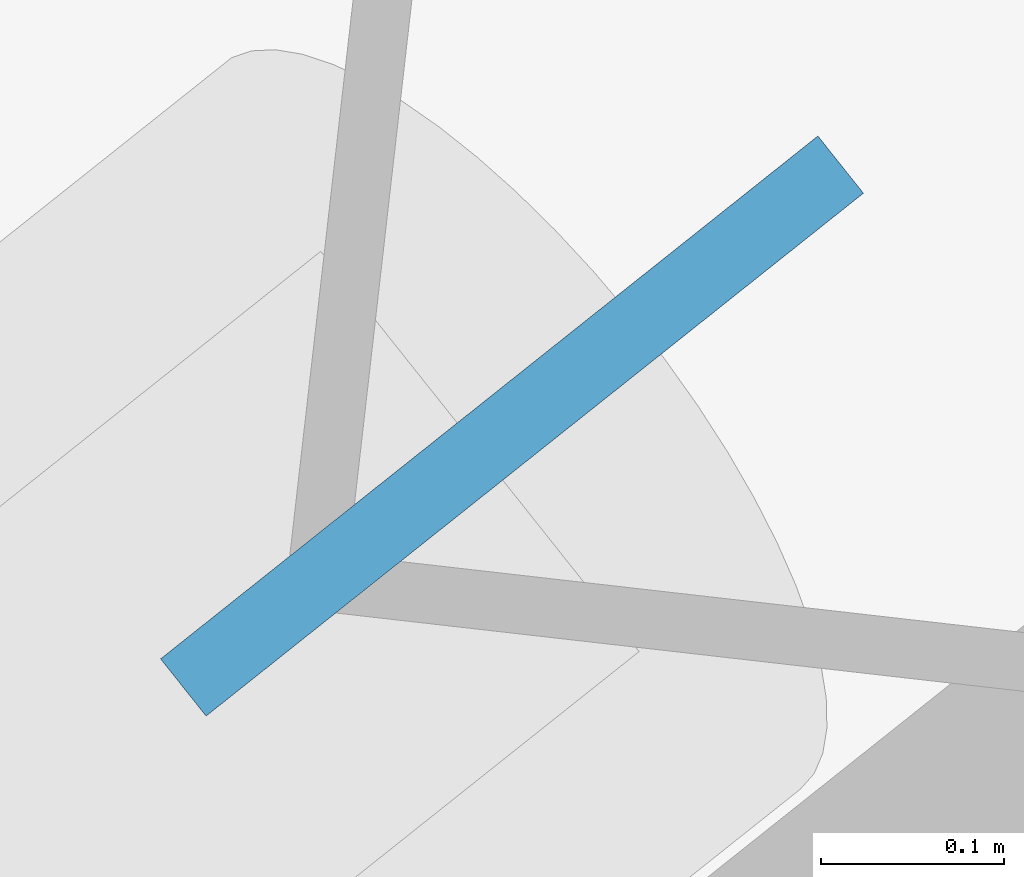
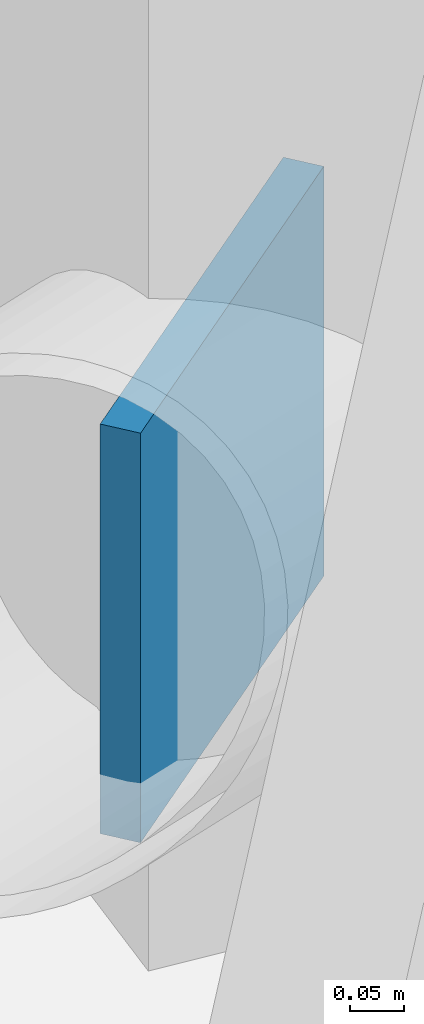
# One storey, part 19 of 22: 1 discrete accessory.
"""IFC4 building model written with IfcOpenShell, lengths in metres."""

from ifc_helpers import new_model, si_unit, direction, frame, origin, origin_2d, place, context, subcontext, project, spatial, rectangle, extrude, material, type_object, element, save


model = new_model("IFC4")

# Units and contexts
model_context = context("Model", 3, precision=1e-05, world=origin(), true_north=direction((0.0, 1.0)))
body_context = subcontext(model_context, "Body", "Model", "MODEL_VIEW")
ifc_project = project(units=[si_unit("LENGTHUNIT", "METRE"), si_unit("AREAUNIT", "SQUARE_METRE"), si_unit("VOLUMEUNIT", "CUBIC_METRE"), si_unit("PLANEANGLEUNIT", "RADIAN"), si_unit("MASSUNIT", "GRAM", prefix="KILO")], contexts=[model_context])

# Site, building, storey
site_placement = place(None, origin())
site = spatial("IfcSite", under=ifc_project, at=site_placement, CompositionType="ELEMENT")
building_placement = place(site_placement, origin())
building = spatial("IfcBuilding", under=site, at=building_placement, Name="Tavrogorsk Clinical Tower", CompositionType="ELEMENT")
storey_placement = place(building_placement, frame((0.0, 0.0, 117.39990234375)))
storey = spatial("IfcBuildingStorey", under=building, at=storey_placement, Name="L26", CompositionType="ELEMENT", Elevation=117.39990234375)

# Discrete accessory
ifc_material = material(Name="Structural steel S440", Category="steel")
discrete_accessory_type = type_object("IfcDiscreteAccessoryType", Name="GussetPlateBracket_25", PredefinedType="BRACKET", material=ifc_material)
discrete_accessory_placement = place(storey_placement, frame((-27.045654296875, 25.592041015625, 0.195068359375), z_axis=(0.0, 0.0, 1.0), x_axis=(-0.782608156852, -0.622514636638, 0.0)))
element("IfcDiscreteAccessory", 1, at=discrete_accessory_placement, inside=storey, type_object=discrete_accessory_type, Name="L26 Brace Gusset Plate EXOCRN-L26-3-A", PredefinedType="BRACKET", context=body_context, shape_type="SweptSolid", body=[
    extrude(rectangle(XDim=0.4599609375, YDim=0.0400390625, at=origin_2d()), origin(), (0.0, 0.0, 1.0), 0.4599609375),
])

save(model, "model.ifc")
